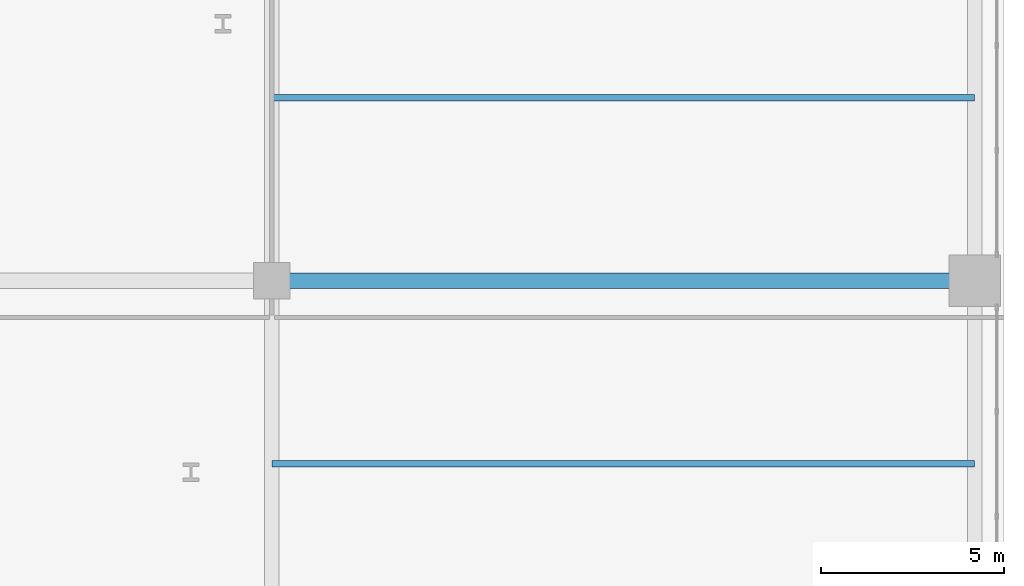
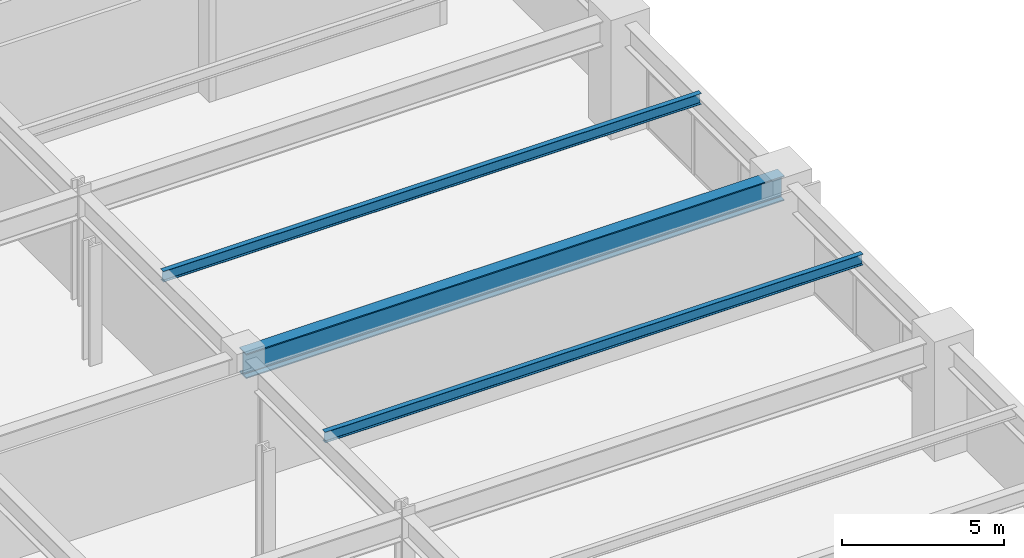
# One storey, part 14 of 28: 3 beams.
"""IFC4 building model written with IfcOpenShell, lengths in metres."""

from ifc_helpers import new_model, si_unit, direction, frame, origin, origin_2d, place, context, subcontext, project, spatial, i_section, extrude, material, material_profile, profile_set, type_object, element, save


model = new_model("IFC4")

# Units and contexts
model_context = context("Model", 3, precision=1e-05, world=origin(), true_north=direction((0.0, 1.0)))
body_context = subcontext(model_context, "Body", "Model", "MODEL_VIEW")
ifc_project = project(units=[si_unit("LENGTHUNIT", "METRE"), si_unit("AREAUNIT", "SQUARE_METRE"), si_unit("VOLUMEUNIT", "CUBIC_METRE"), si_unit("PLANEANGLEUNIT", "RADIAN"), si_unit("MASSUNIT", "GRAM", prefix="KILO")], contexts=[model_context])

# Site, building, storey
site_placement = place(None, origin())
site = spatial("IfcSite", under=ifc_project, at=site_placement, CompositionType="ELEMENT")
building_placement = place(site_placement, origin())
building = spatial("IfcBuilding", under=site, at=building_placement, Name="Soratama Intermodal Tower", CompositionType="ELEMENT")
storey_placement = place(building_placement, frame((0.0, 0.0, 16.199951171875)))
storey = spatial("IfcBuildingStorey", under=building, at=storey_placement, Name="L03", CompositionType="ELEMENT", Elevation=16.199951171875)

# Beams
ifc_material_1 = material(Name="Structural steel ASTM A992 Grade 50", Category="steel")
ifc_material_profile_1 = material_profile(ifc_material_1, i_section(OverallWidth=0.177978515625, OverallDepth=0.406982421875, WebThickness=0.0078125, FlangeThickness=0.0126953125, FilletRadius=0.010009765625, at=origin_2d()), Name="W16X40")
ifc_profile_set_1 = profile_set([ifc_material_profile_1], Name="Structural steel ASTM A992 Grade 50")
beam_type_1 = type_object("IfcBeamType", Name="BM-JST-W16X40", PredefinedType="JOIST", material=ifc_profile_set_1)
for number, where, z_axis, x_axis, name in (
    (1, (64.0, 20.0, 3.9765625), (1.0, 0.0, 0.0), (0.0, 1.0, 0.0), "JST-L03-E2"),
    (2, (64.0, 30.0, 3.9765625), (1.0, 0.0, 0.0), (0.0, 1.0, 0.0), "JST-L03-E3"),
):
    element("IfcBeam", number, at=place(storey_placement, frame(where, z_axis=z_axis, x_axis=x_axis)), inside=storey, type_object=beam_type_1, Name=name, PredefinedType="JOIST", context=body_context, shape_type="SweptSolid", body=[
        extrude(i_section(OverallWidth=0.177978515625, OverallDepth=0.406982421875, WebThickness=0.0078125, FlangeThickness=0.0126953125, FilletRadius=0.010009765625, at=origin_2d()), origin(), (0.0, 0.0, 1.0), 19.199951171875),
    ])
ifc_material_2 = material(Name="Structural steel ASTM A992 Grade 50", Category="steel")
ifc_material_profile_2 = material_profile(ifc_material_2, i_section(OverallWidth=0.423095703125, OverallDepth=0.93896484375, WebThickness=0.02392578125, FlangeThickness=0.042724609375, FilletRadius=0.02392578125, at=origin_2d()), Name="W36X302")
ifc_profile_set_2 = profile_set([ifc_material_profile_2], Name="Structural steel ASTM A992 Grade 50")
beam_type_2 = type_object("IfcBeamType", Name="BM-POD-W36X302", PredefinedType="BEAM", material=ifc_profile_set_2)
beam_placement = place(storey_placement, frame((64.0, 25.0, 3.71044921875), z_axis=(1.0, 0.0, 0.0), x_axis=(0.0, 1.0, 0.0)))
element("IfcBeam", 3, at=beam_placement, inside=storey, type_object=beam_type_2, Name="L03 Station Girder X3-3", PredefinedType="BEAM", context=body_context, shape_type="SweptSolid", body=[
    extrude(i_section(OverallWidth=0.423095703125, OverallDepth=0.93896484375, WebThickness=0.02392578125, FlangeThickness=0.042724609375, FilletRadius=0.02392578125, at=origin_2d()), origin(), (0.0, 0.0, 1.0), 19.199951171875),
])

save(model, "model.ifc")
